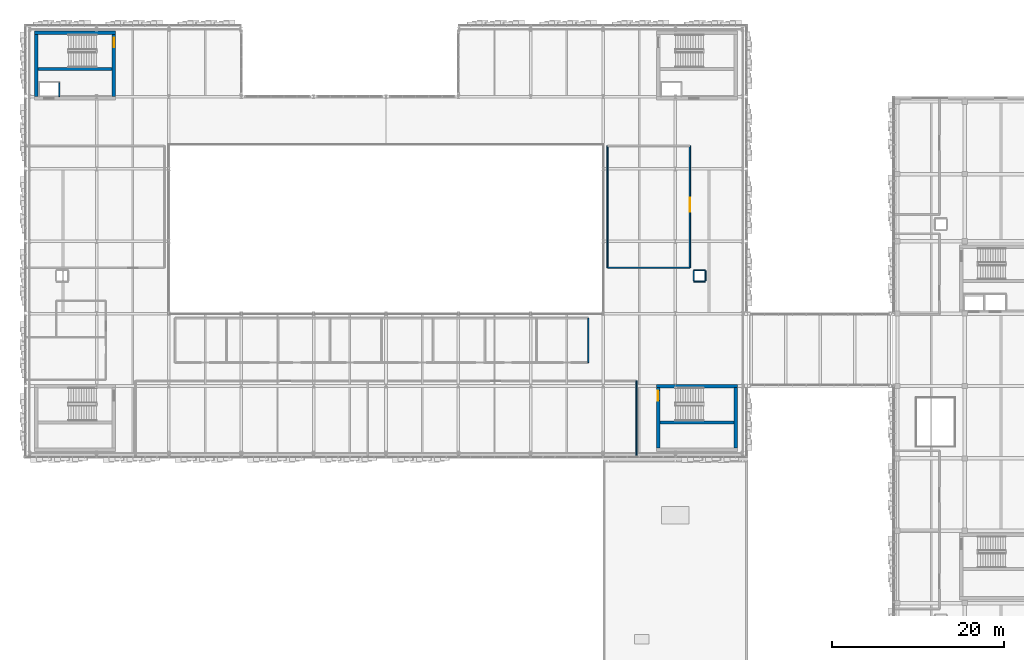
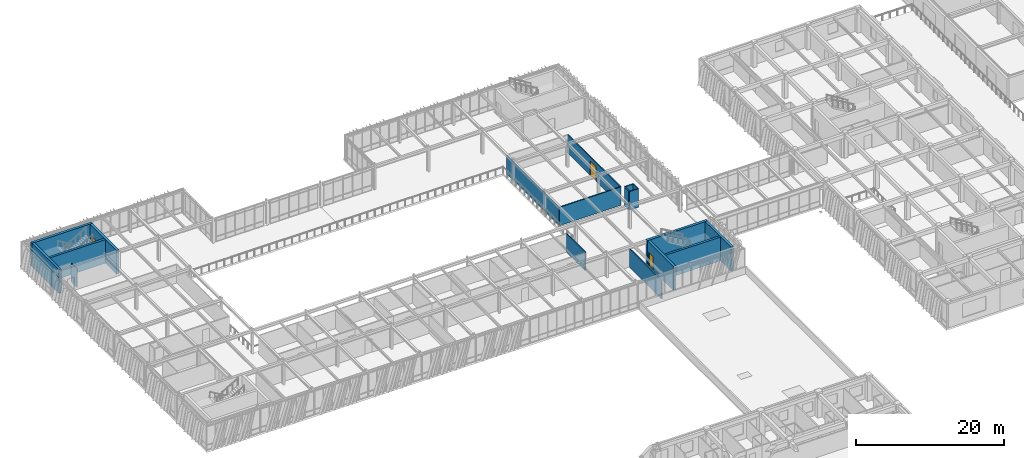
# One storey, part 108 of 127: 18 walls, 3 doors, 3 openings.
"""IFC4 building model written with IfcOpenShell, lengths in metres."""

import ifcopenshell
import ifcopenshell.guid

model = None  # the IFC model being written
_history = None  # IfcOwnerHistory: only IFC2X3 demands one
_inside = {}  # id of a spatial element -> (the spatial element, [elements in it])
_under = {}  # id of a project, library or spatial element -> (it, [spatial elements below it])
_declared = {}  # id of a project -> (the project, [libraries it declares])
_typed = {}  # id of a type object -> (the type object, [elements of that type])
_made_of = {}  # id of a material, layer set ... -> (it, [elements and type objects made of it])


def new_model(schema):
    """Start an empty IFC model of exactly this schema.

    Asked for "IFC4X3", IfcOpenShell would pick the latest addendum, in which some entities
    have other attributes; the version numbers below select the first issue.
    IFC2X3 requires an IfcOwnerHistory on every rooted entity: one is made here for all.
    """
    global model, _history
    if schema == "IFC4X3":
        model = ifcopenshell.file(schema_version=(4, 3, 0, 0))
    else:
        model = ifcopenshell.file(schema=schema)
    _inside.clear()
    _under.clear()
    _declared.clear()
    _typed.clear()
    _made_of.clear()
    _history = None
    if model.schema == "IFC2X3":
        org = make("IfcOrganization", Name="unknown")
        user = make(
            "IfcPersonAndOrganization",
            ThePerson=make("IfcPerson", FamilyName="unknown"),
            TheOrganization=org,
        )
        app = make(
            "IfcApplication",
            ApplicationDeveloper=org,
            Version="unknown",
            ApplicationFullName="unknown",
            ApplicationIdentifier="unknown",
        )
        _history = make(
            "IfcOwnerHistory",
            OwningUser=user,
            OwningApplication=app,
            ChangeAction="ADDED",
            CreationDate=0,
        )
    return model


def make(cls, **values):
    """One entity of the class cls with the attributes given. An attribute that is None is left unset."""
    return model.create_entity(
        cls, **{name: value for name, value in values.items() if value is not None}
    )


def rooted(cls, **values):
    """An entity with a GlobalId (a new one), such as an element, a storey or a relation."""
    return make(cls, GlobalId=ifcopenshell.guid.new(), OwnerHistory=_history, **values)


def si_unit(unit_type, name, prefix=None):
    """IfcSIUnit, for example si_unit("LENGTHUNIT", "METRE", prefix="MILLI")."""
    return make("IfcSIUnit", UnitType=unit_type, Prefix=prefix, Name=name)


def assignment(units):
    """IfcUnitAssignment: the units of a project."""
    return None if units is None else make("IfcUnitAssignment", Units=units)


def point(xyz):
    """IfcCartesianPoint."""
    return None if xyz is None else make("IfcCartesianPoint", Coordinates=xyz)


def direction(xyz):
    """IfcDirection."""
    return None if xyz is None else make("IfcDirection", DirectionRatios=xyz)


def frame(location, z_axis=None, x_axis=None):
    """IfcAxis2Placement3D, a coordinate frame: its origin and axes. An axis left out is left unset."""
    return make(
        "IfcAxis2Placement3D",
        Location=point(location),
        Axis=direction(z_axis),
        RefDirection=direction(x_axis),
    )


def frame_2d(location, x_axis=None):
    """IfcAxis2Placement2D, a coordinate frame in the plane: its origin and x axis."""
    return make(
        "IfcAxis2Placement2D", Location=point(location), RefDirection=direction(x_axis)
    )


def origin():
    """The frame at (0, 0, 0) with its axes left unset."""
    return frame((0.0, 0.0, 0.0))


def place(relative_to, where):
    """IfcLocalPlacement: puts the frame where relative to a parent placement (None: the world)."""
    return make(
        "IfcLocalPlacement", PlacementRelTo=relative_to, RelativePlacement=where
    )


def context(
    kind, dimensions, precision=None, world=None, true_north=None, identifier=None
):
    """IfcGeometricRepresentationContext, for example the 3D "Model" context."""
    return make(
        "IfcGeometricRepresentationContext",
        ContextIdentifier=identifier,
        ContextType=kind,
        CoordinateSpaceDimension=dimensions,
        Precision=precision,
        WorldCoordinateSystem=world,
        TrueNorth=true_north,
    )


def subcontext(parent, identifier, kind, view, scale=None):
    """IfcGeometricRepresentationSubContext, for example "Body" below "Model"."""
    return make(
        "IfcGeometricRepresentationSubContext",
        ContextIdentifier=identifier,
        ContextType=kind,
        ParentContext=parent,
        TargetScale=scale,
        TargetView=view,
    )


def project(units=None, contexts=None):
    """IfcProject with its units and contexts."""
    return rooted(
        "IfcProject",
        Name="project",
        RepresentationContexts=contexts,
        UnitsInContext=assignment(units),
    )


def spatial(cls, under=None, at=None, **own):
    """A site, building, storey or space (cls), placed at a placement, below another one or the project."""
    s = rooted(cls, ObjectPlacement=at, **own)
    if under is not None:
        _under.setdefault(under.id(), (under, []))[1].append(s)
    return s


def profile(cls, at=None, kind="AREA", **sizes):
    """A parametric profile (cls). Its sizes go by their IFC names, for example OverallWidth=200.0."""
    return make(cls, ProfileType=kind, Position=at, **sizes)


def rectangle(**sizes):
    """IfcRectangleProfileDef."""
    return profile("IfcRectangleProfileDef", **sizes)


def extrude(swept, where, along, depth):
    """IfcExtrudedAreaSolid: the profile swept, set in the frame where, extruded along a direction by depth."""
    return make(
        "IfcExtrudedAreaSolid",
        SweptArea=swept,
        Position=where,
        ExtrudedDirection=direction(along),
        Depth=depth,
    )


def shape(context_of_items, identifier, shape_type, items):
    """IfcShapeRepresentation: the items that make up one representation, for example the "Body"."""
    return make(
        "IfcShapeRepresentation",
        ContextOfItems=context_of_items,
        RepresentationIdentifier=identifier,
        RepresentationType=shape_type,
        Items=items,
    )


def material(Name=None, Category=None):
    """IfcMaterial."""
    return make("IfcMaterial", Name=Name, Category=Category)


def layer(
    of_material, thickness, ventilated=None, Name=None, Category=None, Priority=None
):
    """IfcMaterialLayer: one layer of a wall or slab, of a material (None: an air gap)."""
    return make(
        "IfcMaterialLayer",
        Material=of_material,
        LayerThickness=thickness,
        IsVentilated=ventilated,
        Name=Name,
        Category=Category,
        Priority=Priority,
    )


def layer_set(layers, Name=None):
    """IfcMaterialLayerSet."""
    return make("IfcMaterialLayerSet", MaterialLayers=layers, LayerSetName=Name)


def made_of(thing, what):
    """Note that an element or type object is made of a material, layer set ...; save() writes the relation."""
    if what is not None:
        _made_of.setdefault(what.id(), (what, []))[1].append(thing)
    return thing


def type_object(cls, material=None, **own):
    """A type object (cls), such as IfcWallType, which elements share."""
    return made_of(rooted(cls, **own), material)


def element(
    cls,
    number,
    at=None,
    inside=None,
    cuts=None,
    type_object=None,
    material=None,
    context=None,
    identifier="Body",
    shape_type=None,
    held_by="IfcProductDefinitionShape",
    body=None,
    shapes=None,
    **own,
):
    """One element of the class cls, such as IfcWall. Its Tag is "e" and its number.

    at: its placement. inside: the storey or other place that contains it. cuts: it is an
    opening in that element (IfcRelVoidsElement). A single representation is given by context,
    identifier, shape_type and body (its items); several are given by shapes. held_by: the class
    of the entity that holds the representations. save() writes the other relations.
    """
    e = rooted(cls, Tag="e%d" % number, ObjectPlacement=at, **own)
    if body is not None:
        shapes = [shape(context, identifier, shape_type, body)]
    if shapes is not None:
        e.Representation = make(held_by, Representations=shapes)
    if inside is not None:
        _inside.setdefault(inside.id(), (inside, []))[1].append(e)
    if cuts is not None:
        rooted(
            "IfcRelVoidsElement", RelatingBuildingElement=cuts, RelatedOpeningElement=e
        )
    if type_object is not None:
        _typed.setdefault(type_object.id(), (type_object, []))[1].append(e)
    return made_of(e, material)


def fill(opening, filler):
    """IfcRelFillsElement: the door or window that sits in an opening."""
    return rooted(
        "IfcRelFillsElement",
        RelatingOpeningElement=opening,
        RelatedBuildingElement=filler,
    )


def aggregate(whole, parts):
    """IfcRelAggregates: a whole, such as a stair, and the parts it consists of."""
    return rooted("IfcRelAggregates", RelatingObject=whole, RelatedObjects=parts)


def save(model, path):
    """Write the relations noted so far, then the file.

    IfcRelAggregates (storeys below a building ...), IfcRelContainedInSpatialStructure (elements
    in a storey), IfcRelDefinesByType, IfcRelAssociatesMaterial and IfcRelDeclares: one each for
    every whole, place, type object, material and project.
    """
    for whole, parts in _under.values():
        aggregate(whole, parts)
    for where, things in _inside.values():
        rooted(
            "IfcRelContainedInSpatialStructure",
            RelatedElements=things,
            RelatingStructure=where,
        )
    for kind, things in _typed.values():
        rooted("IfcRelDefinesByType", RelatedObjects=things, RelatingType=kind)
    for what, things in _made_of.values():
        rooted("IfcRelAssociatesMaterial", RelatedObjects=things, RelatingMaterial=what)
    for by, libraries in _declared.values():
        rooted("IfcRelDeclares", RelatingContext=by, RelatedDefinitions=libraries)
    model.write(path)


model = new_model("IFC4")

# Units and contexts
model_context = context("Model", 3, precision=1e-05, world=origin(), true_north=direction((0.0, 1.0)))
body_context = subcontext(model_context, "Body", "Model", "MODEL_VIEW")
ifc_project = project(units=[si_unit("LENGTHUNIT", "METRE"), si_unit("AREAUNIT", "SQUARE_METRE"), si_unit("VOLUMEUNIT", "CUBIC_METRE"), si_unit("PLANEANGLEUNIT", "RADIAN"), si_unit("MASSUNIT", "GRAM", prefix="KILO")], contexts=[model_context])

# Site, building, storey
site_placement = place(None, origin())
site = spatial("IfcSite", under=ifc_project, at=site_placement, CompositionType="ELEMENT")
building_placement = place(site_placement, origin())
building = spatial("IfcBuilding", under=site, at=building_placement, Name="Zayran Congress Hotel", CompositionType="ELEMENT")
storey_placement = place(building_placement, frame((0.0, 0.0, 10.800048828125)))
storey = spatial("IfcBuildingStorey", under=building, at=storey_placement, Name="L02", CompositionType="ELEMENT", Elevation=10.800048828125)

# Walls
ifc_material_1 = material(Name="Concrete C40/50", Category="concrete")
ifc_layer_1 = layer(ifc_material_1, 0.39990234375)
ifc_layer_set_1 = layer_set([ifc_layer_1], Name="Concrete C40/50")
wall_type_1 = type_object("IfcWallType", Name="WL-SH-400", PredefinedType="SHEAR", material=ifc_layer_set_1)
wall_1_placement = place(storey_placement, frame((19.0, 116.985107421875, 0.0), z_axis=(0.0, 0.0, 1.0), x_axis=(-1.0, 0.0, 0.0)))
element("IfcWall", 1, at=wall_1_placement, inside=storey, type_object=wall_type_1, Name="CWALL-C-V1W-L02-N", PredefinedType="SHEAR", context=body_context, shape_type="SweptSolid", body=[
    extrude(rectangle(XDim=9.39990234375, YDim=0.39990234375, at=frame_2d((4.699951171875, 0.0))), origin(), (0.0, 0.0, 1.0), 3.919921875),
])
wall_2_placement = place(storey_placement, frame((9.800048828125, 116.800048828125, 0.0), z_axis=(0.0, 0.0, 1.0), x_axis=(0.0, -1.0, 0.0)))
element("IfcWall", 2, at=wall_2_placement, inside=storey, type_object=wall_type_1, Name="CWALL-C-V1W-L02-W", PredefinedType="SHEAR", context=body_context, shape_type="SweptSolid", body=[
    extrude(rectangle(XDim=7.199951171875, YDim=0.39990234375, at=frame_2d((3.60009765625, 0.0))), origin(), (0.0, 0.0, 1.0), 3.919921875),
])

# Wall, opening, door
wall_3_placement = place(storey_placement, frame((18.800048828125, 109.60009765625, 0.0), z_axis=(0.0, 0.0, 1.0), x_axis=(0.0, 1.0, 0.0)))
wall_3 = element("IfcWall", 3, at=wall_3_placement, inside=storey, type_object=wall_type_1, Name="CWALL-C-V1W-L02-E", PredefinedType="SHEAR", context=body_context, shape_type="SweptSolid", body=[
    extrude(rectangle(XDim=7.199951171875, YDim=0.39990234375, at=frame_2d((3.60009765625, 0.0))), origin(), (0.0, 0.0, 1.0), 3.919921875),
])
opening_1_placement = place(wall_3_placement, frame((5.699951171875, 0.0, 0.0)))
opening_1 = element("IfcOpeningElement", 4, at=opening_1_placement, cuts=wall_3, Name="Opening DR-FD-90", PredefinedType="OPENING", context=body_context, shape_type="SweptSolid", body=[
    extrude(rectangle(XDim=1.14990234375, YDim=2.199951171875, at=frame_2d((0.574951171875, 1.10009765625))), frame((0.0, 0.2099609375, 0.0), z_axis=(0.0, -1.0, 0.0), x_axis=(1.0, 0.0, 0.0)), (0.0, 0.0, 1.0), 0.419921875),
])
ifc_material_2 = material(Name="Painted steel fire door assembly", Category="steel")
door_type_1 = type_object("IfcDoorType", Name="TP-DR-FD-90", OperationType="NOTDEFINED", PredefinedType="DOOR", material=ifc_material_2)
door_1_placement = place(opening_1_placement, origin())
door_1 = element("IfcDoor", 5, at=door_1_placement, inside=storey, type_object=door_type_1, Name="ST-03 Exit Stair Door L02", OperationType="SINGLE_SWING_LEFT", OverallHeight=2.199951171875, OverallWidth=1.14990234375, PredefinedType="DOOR", context=body_context, shape_type="SweptSolid", body=[
    extrude(rectangle(XDim=1.14990234375, YDim=2.199951171875, at=frame_2d((0.574951171875, 1.10009765625))), frame((0.0, 0.02490234375, 0.0), z_axis=(0.0, -1.0, 0.0), x_axis=(1.0, 0.0, 0.0)), (0.0, 0.0, 1.0), 0.050048828125),
])
fill(opening_1, door_1)

# Wall
wall_4_placement = place(storey_placement, frame((91.199951171875, 75.985107421875, 0.0), z_axis=(0.0, 0.0, 1.0), x_axis=(-1.0, 0.0, 0.0)))
element("IfcWall", 6, at=wall_4_placement, inside=storey, type_object=wall_type_1, Name="CWALL-C-V1F-L02-N", PredefinedType="SHEAR", context=body_context, shape_type="SweptSolid", body=[
    extrude(rectangle(XDim=9.39990234375, YDim=0.39990234375, at=frame_2d((4.699951171875, 0.0))), origin(), (0.0, 0.0, 1.0), 3.919921875),
])

# Wall, opening, door
wall_5_placement = place(storey_placement, frame((82.0, 75.800048828125, 0.0), z_axis=(0.0, 0.0, 1.0), x_axis=(0.0, -1.0, 0.0)))
wall_5 = element("IfcWall", 7, at=wall_5_placement, inside=storey, type_object=wall_type_1, Name="CWALL-C-V1F-L02-W", PredefinedType="SHEAR", context=body_context, shape_type="SweptSolid", body=[
    extrude(rectangle(XDim=7.0, YDim=0.39990234375, at=frame_2d((3.5, 0.0))), origin(), (0.0, 0.0, 1.0), 3.919921875),
])
opening_2_placement = place(wall_5_placement, frame((0.35009765625, 0.0, 0.0)))
opening_2 = element("IfcOpeningElement", 8, at=opening_2_placement, cuts=wall_5, Name="Opening DR-FD-90", PredefinedType="OPENING", context=body_context, shape_type="SweptSolid", body=[
    extrude(rectangle(XDim=1.14990234375, YDim=2.199951171875, at=frame_2d((0.574951171875, 1.10009765625))), frame((0.0, 0.2099609375, 0.0), z_axis=(0.0, -1.0, 0.0), x_axis=(1.0, 0.0, 0.0)), (0.0, 0.0, 1.0), 0.419921875),
])
door_2_placement = place(opening_2_placement, origin())
door_2 = element("IfcDoor", 9, at=door_2_placement, inside=storey, type_object=door_type_1, Name="ST-06 Exit Stair Door L02", OperationType="SINGLE_SWING_RIGHT", OverallHeight=2.199951171875, OverallWidth=1.14990234375, PredefinedType="DOOR", context=body_context, shape_type="SweptSolid", body=[
    extrude(rectangle(XDim=1.14990234375, YDim=2.199951171875, at=frame_2d((0.574951171875, 1.10009765625))), frame((0.0, 0.02490234375, 0.0), z_axis=(0.0, -1.0, 0.0), x_axis=(1.0, 0.0, 0.0)), (0.0, 0.0, 1.0), 0.050048828125),
])
fill(opening_2, door_2)

# Walls
wall_6_placement = place(storey_placement, frame((91.0, 68.800048828125, 0.0), z_axis=(0.0, 0.0, 1.0), x_axis=(0.0, 1.0, 0.0)))
element("IfcWall", 10, at=wall_6_placement, inside=storey, type_object=wall_type_1, Name="CWALL-C-V1F-L02-E", PredefinedType="SHEAR", context=body_context, shape_type="SweptSolid", body=[
    extrude(rectangle(XDim=7.0, YDim=0.39990234375, at=frame_2d((3.5, 0.0))), origin(), (0.0, 0.0, 1.0), 3.919921875),
])
ifc_layer_2 = layer(ifc_material_1, 0.35009765625)
ifc_layer_set_2 = layer_set([ifc_layer_2], Name="Concrete C40/50")
wall_type_2 = type_object("IfcWallType", Name="WL-SH-350", PredefinedType="SHEAR", material=ifc_layer_set_2)
for number, where, z_axis, x_axis, name in (
    (11, (10.0, 112.784912109375, 0.0), (0.0, 0.0, 1.0), (1.0, 0.0, 0.0), "CWALL-C-V1W-L02-SPN"),
    (12, (82.199951171875, 71.784912109375, 0.0), (0.0, 0.0, 1.0), (1.0, 0.0, 0.0), "CWALL-C-V1F-L02-SPN"),
):
    element("IfcWall", number, at=place(storey_placement, frame(where, z_axis=z_axis, x_axis=x_axis)), inside=storey, type_object=wall_type_2, Name=name, PredefinedType="SHEAR", context=body_context, shape_type="SweptSolid", body=[
        extrude(rectangle(XDim=8.60009765625, YDim=0.35009765625, at=frame_2d((4.300048828125, 0.0))), origin(), (0.0, 0.0, 1.0), 3.919921875),
    ])

# Wall, opening, door
ifc_material_3 = material(Name="Acoustic twin-stud gypsum partition", Category="gypsum")
ifc_layer_3 = layer(ifc_material_3, 0.159912109375)
ifc_layer_set_3 = layer_set([ifc_layer_3], Name="Acoustic twin-stud gypsum partition")
wall_type_3 = type_object("IfcWallType", Name="WL-PT-160", PredefinedType="PARTITIONING", material=ifc_layer_set_3)
wall_7_placement = place(storey_placement, frame((85.679931640625, 89.719970703125, 0.0), z_axis=(0.0, 0.0, 1.0), x_axis=(0.0, 1.0, 0.0)))
wall_7 = element("IfcWall", 13, at=wall_7_placement, inside=storey, type_object=wall_type_3, Name="IW-L02-0497", PredefinedType="PARTITIONING", context=body_context, shape_type="SweptSolid", body=[
    extrude(rectangle(XDim=14.159912109375, YDim=0.159912109375, at=frame_2d((7.080078125, 0.0))), origin(), (0.0, 0.0, 1.0), 3.02001953125),
])
opening_3_placement = place(wall_7_placement, frame((6.5009765625, 0.0, 0.0)))
opening_3 = element("IfcOpeningElement", 14, at=opening_3_placement, cuts=wall_7, Name="Opening DR-PL-01", PredefinedType="OPENING", context=body_context, shape_type="SweptSolid", body=[
    extrude(rectangle(XDim=1.64990234375, YDim=2.35009765625, at=frame_2d((0.824951171875, 1.175048828125))), frame((0.0, 0.08984375, 0.0), z_axis=(0.0, -1.0, 0.0), x_axis=(1.0, 0.0, 0.0)), (0.0, 0.0, 1.0), 0.179931640625),
])
ifc_material_4 = material(Name="Painted steel plant room double fire door", Category="steel")
door_type_2 = type_object("IfcDoorType", Name="TP-DR-PL-01", OperationType="DOUBLE_DOOR_SINGLE_SWING", PredefinedType="DOOR", material=ifc_material_4)
door_3_placement = place(opening_3_placement, origin())
door_3 = element("IfcDoor", 15, at=door_3_placement, inside=storey, type_object=door_type_2, Name="Congress Acoustic Plant Room L02 Door", OperationType="DOUBLE_DOOR_SINGLE_SWING", OverallHeight=2.35009765625, OverallWidth=1.64990234375, PredefinedType="DOOR", context=body_context, shape_type="SweptSolid", body=[
    extrude(rectangle(XDim=1.64990234375, YDim=2.35009765625, at=frame_2d((0.824951171875, 1.175048828125))), frame((0.0, 0.02490234375, 0.0), z_axis=(0.0, -1.0, 0.0), x_axis=(1.0, 0.0, 0.0)), (0.0, 0.0, 1.0), 0.050048828125),
])
fill(opening_3, door_3)

# Walls
wall_8_placement = place(storey_placement, frame((73.8798828125, 78.719970703125, 0.0), z_axis=(0.0, 0.0, 1.0), x_axis=(0.0, 1.0, 0.0)))
element("IfcWall", 16, at=wall_8_placement, inside=storey, type_object=wall_type_3, Name="IW-L02-1794", PredefinedType="PARTITIONING", context=body_context, shape_type="SweptSolid", body=[
    extrude(rectangle(XDim=5.159912109375, YDim=0.159912109375, at=frame_2d((2.580078125, 0.0))), origin(), (0.0, 0.0, 1.0), 3.02001953125),
])
wall_9_placement = place(storey_placement, frame((79.47998046875, 67.77001953125, 0.0), z_axis=(0.0, 0.0, 1.0), x_axis=(0.0, 1.0, 0.0)))
element("IfcWall", 17, at=wall_9_placement, inside=storey, type_object=wall_type_3, Name="IW-L02-1797", PredefinedType="PARTITIONING", context=body_context, shape_type="SweptSolid", body=[
    extrude(rectangle(XDim=8.81005859375, YDim=0.159912109375, at=frame_2d((4.405029296875, 0.0))), origin(), (0.0, 0.0, 1.0), 3.02001953125),
])
wall_10_placement = place(storey_placement, frame((76.1201171875, 89.719970703125, 0.0), z_axis=(0.0, 0.0, 1.0), x_axis=(1.0, 0.0, 0.0)))
element("IfcWall", 18, at=wall_10_placement, inside=storey, type_object=wall_type_3, Name="IW-L02-1800", PredefinedType="PARTITIONING", context=body_context, shape_type="SweptSolid", body=[
    extrude(rectangle(XDim=9.559814453125, YDim=0.159912109375, at=frame_2d((4.77978515625, 0.0))), origin(), (0.0, 0.0, 1.0), 3.02001953125),
])
wall_11_placement = place(storey_placement, frame((76.1201171875, 89.719970703125, 0.0), z_axis=(0.0, 0.0, 1.0), x_axis=(0.0, 1.0, 0.0)))
element("IfcWall", 19, at=wall_11_placement, inside=storey, type_object=wall_type_3, Name="IW-L02-1802", PredefinedType="PARTITIONING", context=body_context, shape_type="SweptSolid", body=[
    extrude(rectangle(XDim=14.159912109375, YDim=0.159912109375, at=frame_2d((7.080078125, 0.0))), origin(), (0.0, 0.0, 1.0), 3.02001953125),
])
ifc_material_5 = material(Name="Hospitality guestroom acoustic partition", Category="gypsum")
ifc_layer_4 = layer(ifc_material_5, 0.139892578125)
ifc_layer_set_4 = layer_set([ifc_layer_4], Name="Hospitality guestroom acoustic partition")
wall_type_4 = type_object("IfcWallType", Name="WL-PT-140", PredefinedType="PARTITIONING", material=ifc_layer_set_4)
wall_12_placement = place(storey_placement, frame((12.469970703125, 109.60009765625, 0.0), z_axis=(0.0, 0.0, 1.0), x_axis=(0.0, 1.0, 0.0)))
element("IfcWall", 20, at=wall_12_placement, inside=storey, type_object=wall_type_4, Name="LSHW-C-V1W-L02-E", PredefinedType="PARTITIONING", context=body_context, shape_type="SweptSolid", body=[
    extrude(rectangle(XDim=1.599853515625, YDim=0.139892578125, at=frame_2d((0.7998046875, 0.0))), origin(), (0.0, 0.0, 1.0), 3.070068359375),
])
for number, where, z_axis, x_axis, name in (
    (21, (86.1298828125, 88.1298828125, 0.0), (0.0, 0.0, 1.0), (1.0, 0.0, 0.0), "RSWL-V1-L02-006-S"),
    (22, (87.489990234375, 89.449951171875, 0.0), (0.0, 0.0, 1.0), (-1.0, 0.0, 0.0), "RSWL-V1-L02-006-N"),
):
    element("IfcWall", number, at=place(storey_placement, frame(where, z_axis=z_axis, x_axis=x_axis)), inside=storey, type_object=wall_type_4, Name=name, PredefinedType="PARTITIONING", context=body_context, shape_type="SweptSolid", body=[
        extrude(rectangle(XDim=1.360107421875, YDim=0.139892578125, at=frame_2d((0.68017578125, 0.0))), origin(), (0.0, 0.0, 1.0), 3.0400390625),
    ])
for number, where, z_axis, x_axis, name in (
    (23, (86.1298828125, 89.3798828125, 0.0), (0.0, 0.0, 1.0), (0.0, -1.0, 0.0), "RSWL-V1-L02-006-W"),
    (24, (87.489990234375, 88.199951171875, 0.0), (0.0, 0.0, 1.0), (0.0, 1.0, 0.0), "RSWL-V1-L02-006-E"),
):
    element("IfcWall", number, at=place(storey_placement, frame(where, z_axis=z_axis, x_axis=x_axis)), inside=storey, type_object=wall_type_4, Name=name, PredefinedType="PARTITIONING", context=body_context, shape_type="SweptSolid", body=[
        extrude(rectangle(XDim=1.179931640625, YDim=0.139892578125, at=frame_2d((0.58984375, 0.0))), origin(), (0.0, 0.0, 1.0), 3.0400390625),
    ])

save(model, "model.ifc")
